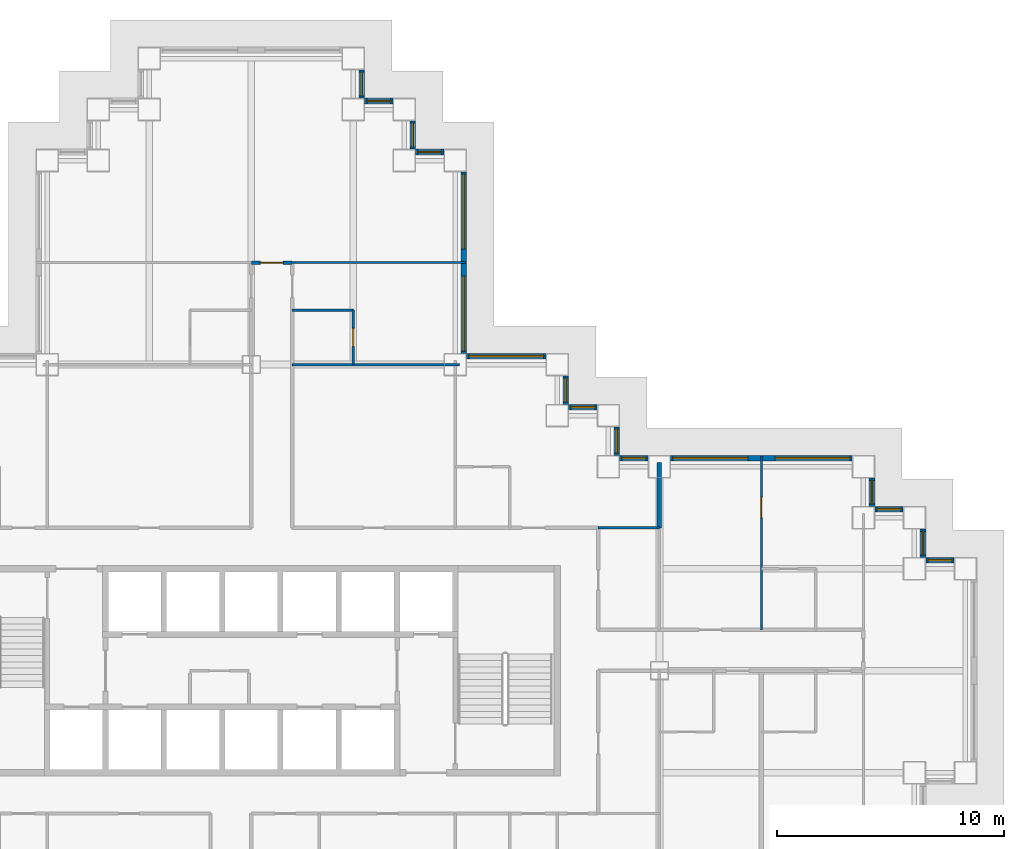
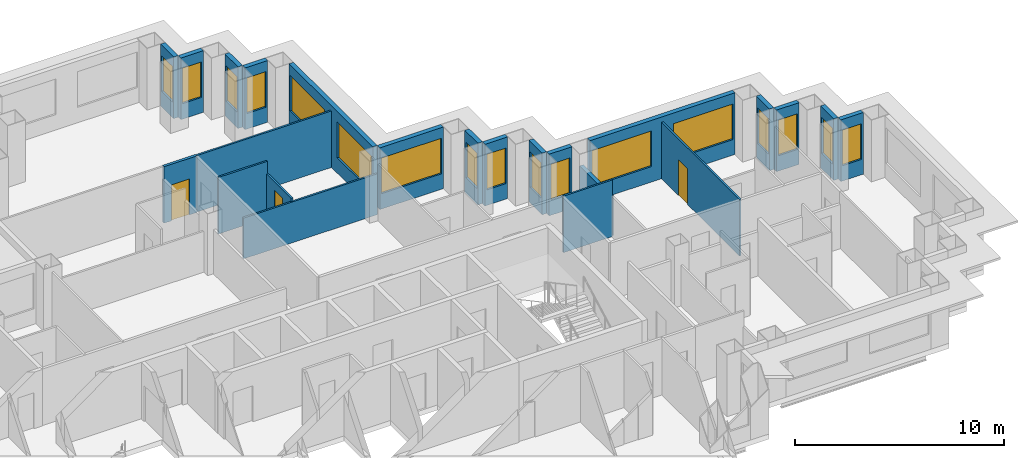
# One storey, part 9 of 14: 23 walls, 17 windows, 3 doors, 20 openings.
"""IFC4 building model written with IfcOpenShell, lengths in metres."""

from ifc_helpers import new_model, si_unit, direction, frame, frame_2d, origin, place, context, subcontext, project, spatial, rectangle, extrude, material, layer, layer_set, type_object, element, fill, save


model = new_model("IFC4")

# Units and contexts
model_context = context("Model", 3, precision=1e-05, world=origin(), true_north=direction((0.0, 1.0)))
body_context = subcontext(model_context, "Body", "Model", "MODEL_VIEW")
ifc_project = project(units=[si_unit("LENGTHUNIT", "METRE"), si_unit("AREAUNIT", "SQUARE_METRE"), si_unit("VOLUMEUNIT", "CUBIC_METRE"), si_unit("PLANEANGLEUNIT", "RADIAN"), si_unit("MASSUNIT", "GRAM", prefix="KILO")], contexts=[model_context])

# Site, building, storey
site_placement = place(None, origin())
site = spatial("IfcSite", under=ifc_project, at=site_placement, CompositionType="ELEMENT")
building_placement = place(site_placement, origin())
building = spatial("IfcBuilding", under=site, at=building_placement, Name="Caravel Reach Hotel and Residences", CompositionType="ELEMENT")
storey_placement = place(building_placement, frame((0.0, 0.0, 56.39990234375)))
storey = spatial("IfcBuildingStorey", under=building, at=storey_placement, Name="L12", CompositionType="ELEMENT", Elevation=56.39990234375)

# Wall
ifc_material_1 = material(Name="Gypsum board on steel stud", Category="steel")
ifc_layer_1 = layer(ifc_material_1, 0.10009765625)
ifc_layer_set_1 = layer_set([ifc_layer_1], Name="Bathroom pod wall 100 mm")
wall_type_1 = type_object("IfcWallType", Name="Bathroom pod wall 100 mm", PredefinedType="PARTITIONING", material=ifc_layer_set_1)
wall_1_placement = place(storey_placement, frame((33.300048828125, 42.89990234375, 0.0), z_axis=(0.0, 0.0, 1.0), x_axis=(1.0, 0.0, 0.0)))
element("IfcWall", 1, at=wall_1_placement, inside=storey, type_object=wall_type_1, Name="L12 wall w084", PredefinedType="PARTITIONING", context=body_context, shape_type="SweptSolid", body=[
    extrude(rectangle(XDim=2.699951171875, YDim=0.10009765625, at=frame_2d((1.35009765625, 0.0))), origin(), (0.0, 0.0, 1.0), 3.300048828125),
])

# Wall, opening, door
wall_2_placement = place(storey_placement, frame((36.0, 40.5, 0.0), z_axis=(0.0, 0.0, 1.0), x_axis=(0.0, 1.0, 0.0)))
wall_2 = element("IfcWall", 2, at=wall_2_placement, inside=storey, type_object=wall_type_1, Name="L12 wall w096", PredefinedType="PARTITIONING", context=body_context, shape_type="SweptSolid", body=[
    extrude(rectangle(XDim=2.39990234375, YDim=0.10009765625, at=frame_2d((1.199951171875, 0.0))), origin(), (0.0, 0.0, 1.0), 2.580078125),
])
opening_1_placement = place(wall_2_placement, frame((0.800048828125, 0.0, 0.0)))
opening_1 = element("IfcOpeningElement", 3, at=opening_1_placement, cuts=wall_2, Name="Opening D12-029", PredefinedType="OPENING", context=body_context, shape_type="SweptSolid", body=[
    extrude(rectangle(XDim=0.800048828125, YDim=2.10009765625, at=frame_2d((0.39990234375, 1.050048828125))), frame((0.0, 0.06005859375, 0.0), z_axis=(0.0, -1.0, 0.0), x_axis=(1.0, 0.0, 0.0)), (0.0, 0.0, 1.0), 0.1201171875),
])
ifc_material_2 = material(Name="Timber and steel door leaf", Category="steel")
door_type_1 = type_object("IfcDoorType", Name="Bathroom door 800 x 2100", OperationType="SINGLE_SWING_LEFT", PredefinedType="DOOR", material=ifc_material_2)
door_1_placement = place(opening_1_placement, origin())
door_1 = element("IfcDoor", 4, at=door_1_placement, inside=storey, type_object=door_type_1, Name="door D12-029", OperationType="SINGLE_SWING_RIGHT", OverallHeight=2.10009765625, OverallWidth=0.800048828125, PredefinedType="DOOR", context=body_context, shape_type="SweptSolid", body=[
    extrude(rectangle(XDim=0.800048828125, YDim=2.10009765625, at=frame_2d((0.39990234375, 1.050048828125))), frame((0.0, 0.02490234375, 0.0), z_axis=(0.0, -1.0, 0.0), x_axis=(1.0, 0.0, 0.0)), (0.0, 0.0, 1.0), 0.050048828125),
])
fill(opening_1, door_1)

ifc_material_3 = material(Name="Gypsum board on steel stud, fire-rated", Category="steel")
ifc_layer_2 = layer(ifc_material_3, 0.14990234375)
ifc_layer_set_2 = layer_set([ifc_layer_2], Name="Corridor wall 150 mm EI 60")
wall_type_2 = type_object("IfcWallType", Name="Corridor wall 150 mm EI 60", PredefinedType="PARTITIONING", material=ifc_layer_set_2)
wall_3_placement = place(storey_placement, frame((31.5, 45.0, 0.0), z_axis=(0.0, 0.0, 1.0), x_axis=(1.0, 0.0, 0.0)))
wall_3 = element("IfcWall", 5, at=wall_3_placement, inside=storey, type_object=wall_type_2, Name="L12 wall w023", PredefinedType="PARTITIONING", context=body_context, shape_type="SweptSolid", body=[
    extrude(rectangle(XDim=1.800048828125, YDim=0.14990234375, at=frame_2d((0.89990234375, 0.0))), origin(), (0.0, 0.0, 1.0), 3.300048828125),
])
opening_2_placement = place(wall_3_placement, frame((0.39990234375, 0.0, 0.0)))
opening_2 = element("IfcOpeningElement", 6, at=opening_2_placement, cuts=wall_3, Name="Opening D12-039", PredefinedType="OPENING", context=body_context, shape_type="SweptSolid", body=[
    extrude(rectangle(XDim=1.0, YDim=2.10009765625, at=frame_2d((0.5, 1.050048828125))), frame((0.0, 0.0849609375, 0.0), z_axis=(0.0, -1.0, 0.0), x_axis=(1.0, 0.0, 0.0)), (0.0, 0.0, 1.0), 0.169921875),
])
ifc_material_4 = material(Name="Steel fire door leaf", Category="steel")
door_type_2 = type_object("IfcDoorType", Name="Guest room door 1000 x 2100 EI 30", OperationType="SINGLE_SWING_LEFT", PredefinedType="DOOR", material=ifc_material_4)
door_2_placement = place(opening_2_placement, origin())
door_2 = element("IfcDoor", 7, at=door_2_placement, inside=storey, type_object=door_type_2, Name="door D12-039", OperationType="SINGLE_SWING_LEFT", OverallHeight=2.10009765625, OverallWidth=1.0, PredefinedType="DOOR", context=body_context, shape_type="SweptSolid", body=[
    extrude(rectangle(XDim=1.0, YDim=2.10009765625, at=frame_2d((0.5, 1.050048828125))), frame((0.0, 0.02490234375, 0.0), z_axis=(0.0, -1.0, 0.0), x_axis=(1.0, 0.0, 0.0)), (0.0, 0.0, 1.0), 0.050048828125),
])
fill(opening_2, door_2)

# Wall, opening, window
ifc_material_5 = material(Name="Insulated rainscreen wall, aluminium cladding", Category="aluminium")
ifc_layer_3 = layer(ifc_material_5, 0.25)
ifc_layer_set_3 = layer_set([ifc_layer_3], Name="EW1 Tower rainscreen wall")
wall_type_3 = type_object("IfcWallType", Name="EW1 Tower rainscreen wall", PredefinedType="SOLIDWALL", material=ifc_layer_set_3)
wall_4_placement = place(storey_placement, frame((62.5, 31.875, 0.0), z_axis=(0.0, 0.0, 1.0), x_axis=(-1.0, 0.0, 0.0)))
wall_4 = element("IfcWall", 8, at=wall_4_placement, inside=storey, type_object=wall_type_3, Name="External wall L12 N21.1", PredefinedType="SOLIDWALL", context=body_context, shape_type="SweptSolid", body=[
    extrude(rectangle(XDim=1.25, YDim=0.25, at=frame_2d((0.625, 0.0))), origin(), (0.0, 0.0, 1.0), 3.60009765625),
])
opening_3_placement = place(wall_4_placement, frame((0.10009765625, 0.0, 0.89990234375)))
opening_3 = element("IfcOpeningElement", 9, at=opening_3_placement, cuts=wall_4, Name="Opening WN3", PredefinedType="OPENING", context=body_context, shape_type="SweptSolid", body=[
    extrude(rectangle(XDim=1.050048828125, YDim=2.080078125, at=frame_2d((0.52490234375, 1.0400390625))), frame((0.0, 0.135009765625, 0.0), z_axis=(0.0, -1.0, 0.0), x_axis=(1.0, 0.0, 0.0)), (0.0, 0.0, 1.0), 0.27001953125),
])
ifc_material_6 = material(Name="Dark low-e glazing in black aluminium frame", Category="aluminium")
window_type_1 = type_object("IfcWindowType", Name="Hotel suite corner window 1050 x 2080", PartitioningType="SINGLE_PANEL", PredefinedType="WINDOW", material=ifc_material_6)
window_1_placement = place(opening_3_placement, origin())
window_1 = element("IfcWindow", 10, at=window_1_placement, inside=storey, type_object=window_type_1, Name="Window L12 N21.1.1", OverallHeight=2.080078125, OverallWidth=1.050048828125, PartitioningType="SINGLE_PANEL", PredefinedType="WINDOW", context=body_context, shape_type="SweptSolid", body=[
    extrude(rectangle(XDim=1.050048828125, YDim=2.080078125, at=frame_2d((0.52490234375, 1.0400390625))), frame((0.0, 0.030029296875, 0.0), z_axis=(0.0, -1.0, 0.0), x_axis=(1.0, 0.0, 0.0)), (0.0, 0.0, 1.0), 0.06005859375),
])
fill(opening_3, window_1)

wall_5_placement = place(storey_placement, frame((61.125, 32.0, 0.0), z_axis=(0.0, 0.0, 1.0), x_axis=(0.0, 1.0, 0.0)))
wall_5 = element("IfcWall", 11, at=wall_5_placement, inside=storey, type_object=wall_type_3, Name="External wall L12 E22.1", PredefinedType="SOLIDWALL", context=body_context, shape_type="SweptSolid", body=[
    extrude(rectangle(XDim=1.25, YDim=0.25, at=frame_2d((0.625, 0.0))), origin(), (0.0, 0.0, 1.0), 3.60009765625),
])
opening_4_placement = place(wall_5_placement, frame((0.10009765625, 0.0, 0.89990234375)))
opening_4 = element("IfcOpeningElement", 12, at=opening_4_placement, cuts=wall_5, Name="Opening WN3", PredefinedType="OPENING", context=body_context, shape_type="SweptSolid", body=[
    extrude(rectangle(XDim=1.050048828125, YDim=2.080078125, at=frame_2d((0.52490234375, 1.0400390625))), frame((0.0, 0.135009765625, 0.0), z_axis=(0.0, -1.0, 0.0), x_axis=(1.0, 0.0, 0.0)), (0.0, 0.0, 1.0), 0.27001953125),
])
window_2_placement = place(opening_4_placement, origin())
window_2 = element("IfcWindow", 13, at=window_2_placement, inside=storey, type_object=window_type_1, Name="Window L12 E22.1.1", OverallHeight=2.080078125, OverallWidth=1.050048828125, PartitioningType="SINGLE_PANEL", PredefinedType="WINDOW", context=body_context, shape_type="SweptSolid", body=[
    extrude(rectangle(XDim=1.050048828125, YDim=2.080078125, at=frame_2d((0.52490234375, 1.0400390625))), frame((0.0, 0.030029296875, 0.0), z_axis=(0.0, -1.0, 0.0), x_axis=(1.0, 0.0, 0.0)), (0.0, 0.0, 1.0), 0.06005859375),
])
fill(opening_4, window_2)

wall_6_placement = place(storey_placement, frame((60.25, 34.125, 0.0), z_axis=(0.0, 0.0, 1.0), x_axis=(-1.0, 0.0, 0.0)))
wall_6 = element("IfcWall", 14, at=wall_6_placement, inside=storey, type_object=wall_type_3, Name="External wall L12 N23.1", PredefinedType="SOLIDWALL", context=body_context, shape_type="SweptSolid", body=[
    extrude(rectangle(XDim=1.25, YDim=0.25, at=frame_2d((0.625, 0.0))), origin(), (0.0, 0.0, 1.0), 3.60009765625),
])
opening_5_placement = place(wall_6_placement, frame((0.10009765625, 0.0, 0.89990234375)))
opening_5 = element("IfcOpeningElement", 15, at=opening_5_placement, cuts=wall_6, Name="Opening WN3", PredefinedType="OPENING", context=body_context, shape_type="SweptSolid", body=[
    extrude(rectangle(XDim=1.050048828125, YDim=2.080078125, at=frame_2d((0.52490234375, 1.0400390625))), frame((0.0, 0.135009765625, 0.0), z_axis=(0.0, -1.0, 0.0), x_axis=(1.0, 0.0, 0.0)), (0.0, 0.0, 1.0), 0.27001953125),
])
window_3_placement = place(opening_5_placement, origin())
window_3 = element("IfcWindow", 16, at=window_3_placement, inside=storey, type_object=window_type_1, Name="Window L12 N23.1.1", OverallHeight=2.080078125, OverallWidth=1.050048828125, PartitioningType="SINGLE_PANEL", PredefinedType="WINDOW", context=body_context, shape_type="SweptSolid", body=[
    extrude(rectangle(XDim=1.050048828125, YDim=2.080078125, at=frame_2d((0.52490234375, 1.0400390625))), frame((0.0, 0.030029296875, 0.0), z_axis=(0.0, -1.0, 0.0), x_axis=(1.0, 0.0, 0.0)), (0.0, 0.0, 1.0), 0.06005859375),
])
fill(opening_5, window_3)

wall_7_placement = place(storey_placement, frame((58.875, 34.25, 0.0), z_axis=(0.0, 0.0, 1.0), x_axis=(0.0, 1.0, 0.0)))
wall_7 = element("IfcWall", 17, at=wall_7_placement, inside=storey, type_object=wall_type_3, Name="External wall L12 E24.1", PredefinedType="SOLIDWALL", context=body_context, shape_type="SweptSolid", body=[
    extrude(rectangle(XDim=1.25, YDim=0.25, at=frame_2d((0.625, 0.0))), origin(), (0.0, 0.0, 1.0), 3.60009765625),
])
opening_6_placement = place(wall_7_placement, frame((0.10009765625, 0.0, 0.89990234375)))
opening_6 = element("IfcOpeningElement", 18, at=opening_6_placement, cuts=wall_7, Name="Opening WN3", PredefinedType="OPENING", context=body_context, shape_type="SweptSolid", body=[
    extrude(rectangle(XDim=1.050048828125, YDim=2.080078125, at=frame_2d((0.52490234375, 1.0400390625))), frame((0.0, 0.135009765625, 0.0), z_axis=(0.0, -1.0, 0.0), x_axis=(1.0, 0.0, 0.0)), (0.0, 0.0, 1.0), 0.27001953125),
])
window_4_placement = place(opening_6_placement, origin())
window_4 = element("IfcWindow", 19, at=window_4_placement, inside=storey, type_object=window_type_1, Name="Window L12 E24.1.1", OverallHeight=2.080078125, OverallWidth=1.050048828125, PartitioningType="SINGLE_PANEL", PredefinedType="WINDOW", context=body_context, shape_type="SweptSolid", body=[
    extrude(rectangle(XDim=1.050048828125, YDim=2.080078125, at=frame_2d((0.52490234375, 1.0400390625))), frame((0.0, 0.030029296875, 0.0), z_axis=(0.0, -1.0, 0.0), x_axis=(1.0, 0.0, 0.0)), (0.0, 0.0, 1.0), 0.06005859375),
])
fill(opening_6, window_4)

# Wall, openings, windows
wall_8_placement = place(storey_placement, frame((58.0, 36.375, 0.0), z_axis=(0.0, 0.0, 1.0), x_axis=(-1.0, 0.0, 0.0)))
wall_8 = element("IfcWall", 20, at=wall_8_placement, inside=storey, type_object=wall_type_3, Name="External wall L12 N25.1", PredefinedType="SOLIDWALL", context=body_context, shape_type="SweptSolid", body=[
    extrude(rectangle(XDim=8.0, YDim=0.25, at=frame_2d((4.0, 0.0))), origin(), (0.0, 0.0, 1.0), 3.60009765625),
])
opening_7_placement = place(wall_8_placement, frame((0.10009765625, 0.0, 0.89990234375)))
opening_7 = element("IfcOpeningElement", 21, at=opening_7_placement, cuts=wall_8, Name="Opening WN4", PredefinedType="OPENING", context=body_context, shape_type="SweptSolid", body=[
    extrude(rectangle(XDim=3.300048828125, YDim=2.080078125, at=frame_2d((1.64990234375, 1.0400390625))), frame((0.0, 0.135009765625, 0.0), z_axis=(0.0, -1.0, 0.0), x_axis=(1.0, 0.0, 0.0)), (0.0, 0.0, 1.0), 0.27001953125),
])
opening_8_placement = place(wall_8_placement, frame((4.60009765625, 0.0, 0.89990234375)))
opening_8 = element("IfcOpeningElement", 22, at=opening_8_placement, cuts=wall_8, Name="Opening WN4", PredefinedType="OPENING", context=body_context, shape_type="SweptSolid", body=[
    extrude(rectangle(XDim=3.300048828125, YDim=2.080078125, at=frame_2d((1.64990234375, 1.0400390625))), frame((0.0, 0.135009765625, 0.0), z_axis=(0.0, -1.0, 0.0), x_axis=(1.0, 0.0, 0.0)), (0.0, 0.0, 1.0), 0.27001953125),
])
ifc_material_7 = material(Name="Dark low-e glazing in black aluminium frame", Category="aluminium")
window_type_2 = type_object("IfcWindowType", Name="Hotel guest room window 3300 x 2080", PartitioningType="SINGLE_PANEL", PredefinedType="WINDOW", material=ifc_material_7)
window_5_placement = place(opening_7_placement, origin())
window_5 = element("IfcWindow", 23, at=window_5_placement, inside=storey, type_object=window_type_2, Name="Window L12 N25.1.1", OverallHeight=2.080078125, OverallWidth=3.300048828125, PartitioningType="SINGLE_PANEL", PredefinedType="WINDOW", context=body_context, shape_type="SweptSolid", body=[
    extrude(rectangle(XDim=3.300048828125, YDim=2.080078125, at=frame_2d((1.64990234375, 1.0400390625))), frame((0.0, 0.030029296875, 0.0), z_axis=(0.0, -1.0, 0.0), x_axis=(1.0, 0.0, 0.0)), (0.0, 0.0, 1.0), 0.06005859375),
])
fill(opening_7, window_5)
window_6_placement = place(opening_8_placement, origin())
window_6 = element("IfcWindow", 24, at=window_6_placement, inside=storey, type_object=window_type_2, Name="Window L12 N25.1.2", OverallHeight=2.080078125, OverallWidth=3.300048828125, PartitioningType="SINGLE_PANEL", PredefinedType="WINDOW", context=body_context, shape_type="SweptSolid", body=[
    extrude(rectangle(XDim=3.300048828125, YDim=2.080078125, at=frame_2d((1.64990234375, 1.0400390625))), frame((0.0, 0.030029296875, 0.0), z_axis=(0.0, -1.0, 0.0), x_axis=(1.0, 0.0, 0.0)), (0.0, 0.0, 1.0), 0.06005859375),
])
fill(opening_8, window_6)

# Wall, opening, window
wall_9_placement = place(storey_placement, frame((49.0, 36.375, 0.0), z_axis=(0.0, 0.0, 1.0), x_axis=(-1.0, 0.0, 0.0)))
wall_9 = element("IfcWall", 25, at=wall_9_placement, inside=storey, type_object=wall_type_3, Name="External wall L12 N25.2", PredefinedType="SOLIDWALL", context=body_context, shape_type="SweptSolid", body=[
    extrude(rectangle(XDim=1.25, YDim=0.25, at=frame_2d((0.625, 0.0))), origin(), (0.0, 0.0, 1.0), 3.60009765625),
])
opening_9_placement = place(wall_9_placement, frame((0.10009765625, 0.0, 0.89990234375)))
opening_9 = element("IfcOpeningElement", 26, at=opening_9_placement, cuts=wall_9, Name="Opening WN3", PredefinedType="OPENING", context=body_context, shape_type="SweptSolid", body=[
    extrude(rectangle(XDim=1.050048828125, YDim=2.080078125, at=frame_2d((0.52490234375, 1.0400390625))), frame((0.0, 0.135009765625, 0.0), z_axis=(0.0, -1.0, 0.0), x_axis=(1.0, 0.0, 0.0)), (0.0, 0.0, 1.0), 0.27001953125),
])
window_7_placement = place(opening_9_placement, origin())
window_7 = element("IfcWindow", 27, at=window_7_placement, inside=storey, type_object=window_type_1, Name="Window L12 N25.2.1", OverallHeight=2.080078125, OverallWidth=1.050048828125, PartitioningType="SINGLE_PANEL", PredefinedType="WINDOW", context=body_context, shape_type="SweptSolid", body=[
    extrude(rectangle(XDim=1.050048828125, YDim=2.080078125, at=frame_2d((0.52490234375, 1.0400390625))), frame((0.0, 0.030029296875, 0.0), z_axis=(0.0, -1.0, 0.0), x_axis=(1.0, 0.0, 0.0)), (0.0, 0.0, 1.0), 0.06005859375),
])
fill(opening_9, window_7)

wall_10_placement = place(storey_placement, frame((47.625, 36.5, 0.0), z_axis=(0.0, 0.0, 1.0), x_axis=(0.0, 1.0, 0.0)))
wall_10 = element("IfcWall", 28, at=wall_10_placement, inside=storey, type_object=wall_type_3, Name="External wall L12 E26.1", PredefinedType="SOLIDWALL", context=body_context, shape_type="SweptSolid", body=[
    extrude(rectangle(XDim=1.25, YDim=0.25, at=frame_2d((0.625, 0.0))), origin(), (0.0, 0.0, 1.0), 3.60009765625),
])
opening_10_placement = place(wall_10_placement, frame((0.10009765625, 0.0, 0.89990234375)))
opening_10 = element("IfcOpeningElement", 29, at=opening_10_placement, cuts=wall_10, Name="Opening WN3", PredefinedType="OPENING", context=body_context, shape_type="SweptSolid", body=[
    extrude(rectangle(XDim=1.050048828125, YDim=2.080078125, at=frame_2d((0.52490234375, 1.0400390625))), frame((0.0, 0.135009765625, 0.0), z_axis=(0.0, -1.0, 0.0), x_axis=(1.0, 0.0, 0.0)), (0.0, 0.0, 1.0), 0.27001953125),
])
window_8_placement = place(opening_10_placement, origin())
window_8 = element("IfcWindow", 30, at=window_8_placement, inside=storey, type_object=window_type_1, Name="Window L12 E26.1.1", OverallHeight=2.080078125, OverallWidth=1.050048828125, PartitioningType="SINGLE_PANEL", PredefinedType="WINDOW", context=body_context, shape_type="SweptSolid", body=[
    extrude(rectangle(XDim=1.050048828125, YDim=2.080078125, at=frame_2d((0.52490234375, 1.0400390625))), frame((0.0, 0.030029296875, 0.0), z_axis=(0.0, -1.0, 0.0), x_axis=(1.0, 0.0, 0.0)), (0.0, 0.0, 1.0), 0.06005859375),
])
fill(opening_10, window_8)

wall_11_placement = place(storey_placement, frame((46.75, 38.625, 0.0), z_axis=(0.0, 0.0, 1.0), x_axis=(-1.0, 0.0, 0.0)))
wall_11 = element("IfcWall", 31, at=wall_11_placement, inside=storey, type_object=wall_type_3, Name="External wall L12 N27.1", PredefinedType="SOLIDWALL", context=body_context, shape_type="SweptSolid", body=[
    extrude(rectangle(XDim=1.25, YDim=0.25, at=frame_2d((0.625, 0.0))), origin(), (0.0, 0.0, 1.0), 3.60009765625),
])
opening_11_placement = place(wall_11_placement, frame((0.10009765625, 0.0, 0.89990234375)))
opening_11 = element("IfcOpeningElement", 32, at=opening_11_placement, cuts=wall_11, Name="Opening WN3", PredefinedType="OPENING", context=body_context, shape_type="SweptSolid", body=[
    extrude(rectangle(XDim=1.050048828125, YDim=2.080078125, at=frame_2d((0.52490234375, 1.0400390625))), frame((0.0, 0.135009765625, 0.0), z_axis=(0.0, -1.0, 0.0), x_axis=(1.0, 0.0, 0.0)), (0.0, 0.0, 1.0), 0.27001953125),
])
window_9_placement = place(opening_11_placement, origin())
window_9 = element("IfcWindow", 33, at=window_9_placement, inside=storey, type_object=window_type_1, Name="Window L12 N27.1.1", OverallHeight=2.080078125, OverallWidth=1.050048828125, PartitioningType="SINGLE_PANEL", PredefinedType="WINDOW", context=body_context, shape_type="SweptSolid", body=[
    extrude(rectangle(XDim=1.050048828125, YDim=2.080078125, at=frame_2d((0.52490234375, 1.0400390625))), frame((0.0, 0.030029296875, 0.0), z_axis=(0.0, -1.0, 0.0), x_axis=(1.0, 0.0, 0.0)), (0.0, 0.0, 1.0), 0.06005859375),
])
fill(opening_11, window_9)

wall_12_placement = place(storey_placement, frame((45.375, 38.75, 0.0), z_axis=(0.0, 0.0, 1.0), x_axis=(0.0, 1.0, 0.0)))
wall_12 = element("IfcWall", 34, at=wall_12_placement, inside=storey, type_object=wall_type_3, Name="External wall L12 E28.1", PredefinedType="SOLIDWALL", context=body_context, shape_type="SweptSolid", body=[
    extrude(rectangle(XDim=1.25, YDim=0.25, at=frame_2d((0.625, 0.0))), origin(), (0.0, 0.0, 1.0), 3.60009765625),
])
opening_12_placement = place(wall_12_placement, frame((0.10009765625, 0.0, 0.89990234375)))
opening_12 = element("IfcOpeningElement", 35, at=opening_12_placement, cuts=wall_12, Name="Opening WN3", PredefinedType="OPENING", context=body_context, shape_type="SweptSolid", body=[
    extrude(rectangle(XDim=1.050048828125, YDim=2.080078125, at=frame_2d((0.52490234375, 1.0400390625))), frame((0.0, 0.135009765625, 0.0), z_axis=(0.0, -1.0, 0.0), x_axis=(1.0, 0.0, 0.0)), (0.0, 0.0, 1.0), 0.27001953125),
])
window_10_placement = place(opening_12_placement, origin())
window_10 = element("IfcWindow", 36, at=window_10_placement, inside=storey, type_object=window_type_1, Name="Window L12 E28.1.1", OverallHeight=2.080078125, OverallWidth=1.050048828125, PartitioningType="SINGLE_PANEL", PredefinedType="WINDOW", context=body_context, shape_type="SweptSolid", body=[
    extrude(rectangle(XDim=1.050048828125, YDim=2.080078125, at=frame_2d((0.52490234375, 1.0400390625))), frame((0.0, 0.030029296875, 0.0), z_axis=(0.0, -1.0, 0.0), x_axis=(1.0, 0.0, 0.0)), (0.0, 0.0, 1.0), 0.06005859375),
])
fill(opening_12, window_10)

wall_13_placement = place(storey_placement, frame((44.5, 40.875, 0.0), z_axis=(0.0, 0.0, 1.0), x_axis=(-1.0, 0.0, 0.0)))
wall_13 = element("IfcWall", 37, at=wall_13_placement, inside=storey, type_object=wall_type_3, Name="External wall L12 N29.1", PredefinedType="SOLIDWALL", context=body_context, shape_type="SweptSolid", body=[
    extrude(rectangle(XDim=3.5, YDim=0.25, at=frame_2d((1.75, 0.0))), origin(), (0.0, 0.0, 1.0), 3.60009765625),
])
opening_13_placement = place(wall_13_placement, frame((0.10009765625, 0.0, 0.89990234375)))
opening_13 = element("IfcOpeningElement", 38, at=opening_13_placement, cuts=wall_13, Name="Opening WN4", PredefinedType="OPENING", context=body_context, shape_type="SweptSolid", body=[
    extrude(rectangle(XDim=3.300048828125, YDim=2.080078125, at=frame_2d((1.64990234375, 1.0400390625))), frame((0.0, 0.135009765625, 0.0), z_axis=(0.0, -1.0, 0.0), x_axis=(1.0, 0.0, 0.0)), (0.0, 0.0, 1.0), 0.27001953125),
])
window_11_placement = place(opening_13_placement, origin())
window_11 = element("IfcWindow", 39, at=window_11_placement, inside=storey, type_object=window_type_2, Name="Window L12 N29.1.1", OverallHeight=2.080078125, OverallWidth=3.300048828125, PartitioningType="SINGLE_PANEL", PredefinedType="WINDOW", context=body_context, shape_type="SweptSolid", body=[
    extrude(rectangle(XDim=3.300048828125, YDim=2.080078125, at=frame_2d((1.64990234375, 1.0400390625))), frame((0.0, 0.030029296875, 0.0), z_axis=(0.0, -1.0, 0.0), x_axis=(1.0, 0.0, 0.0)), (0.0, 0.0, 1.0), 0.06005859375),
])
fill(opening_13, window_11)

# Wall, openings, windows
wall_14_placement = place(storey_placement, frame((40.875, 41.0, 0.0), z_axis=(0.0, 0.0, 1.0), x_axis=(0.0, 1.0, 0.0)))
wall_14 = element("IfcWall", 40, at=wall_14_placement, inside=storey, type_object=wall_type_3, Name="External wall L12 E30.1", PredefinedType="SOLIDWALL", context=body_context, shape_type="SweptSolid", body=[
    extrude(rectangle(XDim=8.0, YDim=0.25, at=frame_2d((4.0, 0.0))), origin(), (0.0, 0.0, 1.0), 3.60009765625),
])
opening_14_placement = place(wall_14_placement, frame((0.10009765625, 0.0, 0.89990234375)))
opening_14 = element("IfcOpeningElement", 41, at=opening_14_placement, cuts=wall_14, Name="Opening WN4", PredefinedType="OPENING", context=body_context, shape_type="SweptSolid", body=[
    extrude(rectangle(XDim=3.300048828125, YDim=2.080078125, at=frame_2d((1.64990234375, 1.0400390625))), frame((0.0, 0.135009765625, 0.0), z_axis=(0.0, -1.0, 0.0), x_axis=(1.0, 0.0, 0.0)), (0.0, 0.0, 1.0), 0.27001953125),
])
opening_15_placement = place(wall_14_placement, frame((4.60009765625, 0.0, 0.89990234375)))
opening_15 = element("IfcOpeningElement", 42, at=opening_15_placement, cuts=wall_14, Name="Opening WN4", PredefinedType="OPENING", context=body_context, shape_type="SweptSolid", body=[
    extrude(rectangle(XDim=3.300048828125, YDim=2.080078125, at=frame_2d((1.64990234375, 1.0400390625))), frame((0.0, 0.135009765625, 0.0), z_axis=(0.0, -1.0, 0.0), x_axis=(1.0, 0.0, 0.0)), (0.0, 0.0, 1.0), 0.27001953125),
])
window_12_placement = place(opening_14_placement, origin())
window_12 = element("IfcWindow", 43, at=window_12_placement, inside=storey, type_object=window_type_2, Name="Window L12 E30.1.1", OverallHeight=2.080078125, OverallWidth=3.300048828125, PartitioningType="SINGLE_PANEL", PredefinedType="WINDOW", context=body_context, shape_type="SweptSolid", body=[
    extrude(rectangle(XDim=3.300048828125, YDim=2.080078125, at=frame_2d((1.64990234375, 1.0400390625))), frame((0.0, 0.030029296875, 0.0), z_axis=(0.0, -1.0, 0.0), x_axis=(1.0, 0.0, 0.0)), (0.0, 0.0, 1.0), 0.06005859375),
])
fill(opening_14, window_12)
window_13_placement = place(opening_15_placement, origin())
window_13 = element("IfcWindow", 44, at=window_13_placement, inside=storey, type_object=window_type_2, Name="Window L12 E30.1.2", OverallHeight=2.080078125, OverallWidth=3.300048828125, PartitioningType="SINGLE_PANEL", PredefinedType="WINDOW", context=body_context, shape_type="SweptSolid", body=[
    extrude(rectangle(XDim=3.300048828125, YDim=2.080078125, at=frame_2d((1.64990234375, 1.0400390625))), frame((0.0, 0.030029296875, 0.0), z_axis=(0.0, -1.0, 0.0), x_axis=(1.0, 0.0, 0.0)), (0.0, 0.0, 1.0), 0.06005859375),
])
fill(opening_15, window_13)

# Wall, opening, window
wall_15_placement = place(storey_placement, frame((40.0, 49.875, 0.0), z_axis=(0.0, 0.0, 1.0), x_axis=(-1.0, 0.0, 0.0)))
wall_15 = element("IfcWall", 45, at=wall_15_placement, inside=storey, type_object=wall_type_3, Name="External wall L12 N31.1", PredefinedType="SOLIDWALL", context=body_context, shape_type="SweptSolid", body=[
    extrude(rectangle(XDim=1.25, YDim=0.25, at=frame_2d((0.625, 0.0))), origin(), (0.0, 0.0, 1.0), 3.60009765625),
])
opening_16_placement = place(wall_15_placement, frame((0.10009765625, 0.0, 0.89990234375)))
opening_16 = element("IfcOpeningElement", 46, at=opening_16_placement, cuts=wall_15, Name="Opening WN3", PredefinedType="OPENING", context=body_context, shape_type="SweptSolid", body=[
    extrude(rectangle(XDim=1.050048828125, YDim=2.080078125, at=frame_2d((0.52490234375, 1.0400390625))), frame((0.0, 0.135009765625, 0.0), z_axis=(0.0, -1.0, 0.0), x_axis=(1.0, 0.0, 0.0)), (0.0, 0.0, 1.0), 0.27001953125),
])
window_14_placement = place(opening_16_placement, origin())
window_14 = element("IfcWindow", 47, at=window_14_placement, inside=storey, type_object=window_type_1, Name="Window L12 N31.1.1", OverallHeight=2.080078125, OverallWidth=1.050048828125, PartitioningType="SINGLE_PANEL", PredefinedType="WINDOW", context=body_context, shape_type="SweptSolid", body=[
    extrude(rectangle(XDim=1.050048828125, YDim=2.080078125, at=frame_2d((0.52490234375, 1.0400390625))), frame((0.0, 0.030029296875, 0.0), z_axis=(0.0, -1.0, 0.0), x_axis=(1.0, 0.0, 0.0)), (0.0, 0.0, 1.0), 0.06005859375),
])
fill(opening_16, window_14)

wall_16_placement = place(storey_placement, frame((38.625, 50.0, 0.0), z_axis=(0.0, 0.0, 1.0), x_axis=(0.0, 1.0, 0.0)))
wall_16 = element("IfcWall", 48, at=wall_16_placement, inside=storey, type_object=wall_type_3, Name="External wall L12 E32.1", PredefinedType="SOLIDWALL", context=body_context, shape_type="SweptSolid", body=[
    extrude(rectangle(XDim=1.25, YDim=0.25, at=frame_2d((0.625, 0.0))), origin(), (0.0, 0.0, 1.0), 3.60009765625),
])
opening_17_placement = place(wall_16_placement, frame((0.10009765625, 0.0, 0.89990234375)))
opening_17 = element("IfcOpeningElement", 49, at=opening_17_placement, cuts=wall_16, Name="Opening WN3", PredefinedType="OPENING", context=body_context, shape_type="SweptSolid", body=[
    extrude(rectangle(XDim=1.050048828125, YDim=2.080078125, at=frame_2d((0.52490234375, 1.0400390625))), frame((0.0, 0.135009765625, 0.0), z_axis=(0.0, -1.0, 0.0), x_axis=(1.0, 0.0, 0.0)), (0.0, 0.0, 1.0), 0.27001953125),
])
window_15_placement = place(opening_17_placement, origin())
window_15 = element("IfcWindow", 50, at=window_15_placement, inside=storey, type_object=window_type_1, Name="Window L12 E32.1.1", OverallHeight=2.080078125, OverallWidth=1.050048828125, PartitioningType="SINGLE_PANEL", PredefinedType="WINDOW", context=body_context, shape_type="SweptSolid", body=[
    extrude(rectangle(XDim=1.050048828125, YDim=2.080078125, at=frame_2d((0.52490234375, 1.0400390625))), frame((0.0, 0.030029296875, 0.0), z_axis=(0.0, -1.0, 0.0), x_axis=(1.0, 0.0, 0.0)), (0.0, 0.0, 1.0), 0.06005859375),
])
fill(opening_17, window_15)

wall_17_placement = place(storey_placement, frame((37.75, 52.125, 0.0), z_axis=(0.0, 0.0, 1.0), x_axis=(-1.0, 0.0, 0.0)))
wall_17 = element("IfcWall", 51, at=wall_17_placement, inside=storey, type_object=wall_type_3, Name="External wall L12 N33.1", PredefinedType="SOLIDWALL", context=body_context, shape_type="SweptSolid", body=[
    extrude(rectangle(XDim=1.25, YDim=0.25, at=frame_2d((0.625, 0.0))), origin(), (0.0, 0.0, 1.0), 3.60009765625),
])
opening_18_placement = place(wall_17_placement, frame((0.10009765625, 0.0, 0.89990234375)))
opening_18 = element("IfcOpeningElement", 52, at=opening_18_placement, cuts=wall_17, Name="Opening WN3", PredefinedType="OPENING", context=body_context, shape_type="SweptSolid", body=[
    extrude(rectangle(XDim=1.050048828125, YDim=2.080078125, at=frame_2d((0.52490234375, 1.0400390625))), frame((0.0, 0.135009765625, 0.0), z_axis=(0.0, -1.0, 0.0), x_axis=(1.0, 0.0, 0.0)), (0.0, 0.0, 1.0), 0.27001953125),
])
window_16_placement = place(opening_18_placement, origin())
window_16 = element("IfcWindow", 53, at=window_16_placement, inside=storey, type_object=window_type_1, Name="Window L12 N33.1.1", OverallHeight=2.080078125, OverallWidth=1.050048828125, PartitioningType="SINGLE_PANEL", PredefinedType="WINDOW", context=body_context, shape_type="SweptSolid", body=[
    extrude(rectangle(XDim=1.050048828125, YDim=2.080078125, at=frame_2d((0.52490234375, 1.0400390625))), frame((0.0, 0.030029296875, 0.0), z_axis=(0.0, -1.0, 0.0), x_axis=(1.0, 0.0, 0.0)), (0.0, 0.0, 1.0), 0.06005859375),
])
fill(opening_18, window_16)

wall_18_placement = place(storey_placement, frame((36.375, 52.25, 0.0), z_axis=(0.0, 0.0, 1.0), x_axis=(0.0, 1.0, 0.0)))
wall_18 = element("IfcWall", 54, at=wall_18_placement, inside=storey, type_object=wall_type_3, Name="External wall L12 E34.1", PredefinedType="SOLIDWALL", context=body_context, shape_type="SweptSolid", body=[
    extrude(rectangle(XDim=1.25, YDim=0.25, at=frame_2d((0.625, 0.0))), origin(), (0.0, 0.0, 1.0), 3.60009765625),
])
opening_19_placement = place(wall_18_placement, frame((0.10009765625, 0.0, 0.89990234375)))
opening_19 = element("IfcOpeningElement", 55, at=opening_19_placement, cuts=wall_18, Name="Opening WN3", PredefinedType="OPENING", context=body_context, shape_type="SweptSolid", body=[
    extrude(rectangle(XDim=1.050048828125, YDim=2.080078125, at=frame_2d((0.52490234375, 1.0400390625))), frame((0.0, 0.135009765625, 0.0), z_axis=(0.0, -1.0, 0.0), x_axis=(1.0, 0.0, 0.0)), (0.0, 0.0, 1.0), 0.27001953125),
])
window_17_placement = place(opening_19_placement, origin())
window_17 = element("IfcWindow", 56, at=window_17_placement, inside=storey, type_object=window_type_1, Name="Window L12 E34.1.1", OverallHeight=2.080078125, OverallWidth=1.050048828125, PartitioningType="SINGLE_PANEL", PredefinedType="WINDOW", context=body_context, shape_type="SweptSolid", body=[
    extrude(rectangle(XDim=1.050048828125, YDim=2.080078125, at=frame_2d((0.52490234375, 1.0400390625))), frame((0.0, 0.030029296875, 0.0), z_axis=(0.0, -1.0, 0.0), x_axis=(1.0, 0.0, 0.0)), (0.0, 0.0, 1.0), 0.06005859375),
])
fill(opening_19, window_17)

# Walls
ifc_material_8 = material(Name="Gypsum board on steel stud", Category="steel")
ifc_layer_4 = layer(ifc_material_8, 0.10009765625)
ifc_layer_set_4 = layer_set([ifc_layer_4], Name="Partition 100 mm")
wall_type_4 = type_object("IfcWallType", Name="Partition 100 mm", PredefinedType="PARTITIONING", material=ifc_layer_set_4)
wall_19_placement = place(storey_placement, frame((46.800048828125, 33.300048828125, 0.0), z_axis=(0.0, 0.0, 1.0), x_axis=(1.0, 0.0, 0.0)))
element("IfcWall", 57, at=wall_19_placement, inside=storey, type_object=wall_type_4, Name="L12 wall w045", PredefinedType="PARTITIONING", context=body_context, shape_type="SweptSolid", body=[
    extrude(rectangle(XDim=2.699951171875, YDim=0.10009765625, at=frame_2d((1.35009765625, 0.0))), origin(), (0.0, 0.0, 1.0), 3.300048828125),
])
wall_20_placement = place(storey_placement, frame((33.300048828125, 40.5, 0.0), z_axis=(0.0, 0.0, 1.0), x_axis=(1.0, 0.0, 0.0)))
element("IfcWall", 58, at=wall_20_placement, inside=storey, type_object=wall_type_4, Name="L12 wall w048", PredefinedType="PARTITIONING", context=body_context, shape_type="SweptSolid", body=[
    extrude(rectangle(XDim=7.389892578125, YDim=0.10009765625, at=frame_2d((3.69482421875, 0.0))), origin(), (0.0, 0.0, 1.0), 2.380126953125),
])
wall_21_placement = place(storey_placement, frame((33.300048828125, 45.0, 0.0), z_axis=(0.0, 0.0, 1.0), x_axis=(1.0, 0.0, 0.0)))
element("IfcWall", 59, at=wall_21_placement, inside=storey, type_object=wall_type_4, Name="L12 wall w050", PredefinedType="PARTITIONING", context=body_context, shape_type="SweptSolid", body=[
    extrude(rectangle(XDim=7.639892578125, YDim=0.10009765625, at=frame_2d((3.81982421875, 0.0))), origin(), (0.0, 0.0, 1.0), 3.300048828125),
])

# Wall, opening, door
wall_22_placement = place(storey_placement, frame((54.0, 28.800048828125, 0.0), z_axis=(0.0, 0.0, 1.0), x_axis=(0.0, 1.0, 0.0)))
wall_22 = element("IfcWall", 60, at=wall_22_placement, inside=storey, type_object=wall_type_4, Name="L12 wall w066", PredefinedType="PARTITIONING", context=body_context, shape_type="SweptSolid", body=[
    extrude(rectangle(XDim=7.639892578125, YDim=0.10009765625, at=frame_2d((3.81982421875, 0.0))), origin(), (0.0, 0.0, 1.0), 3.300048828125),
])
opening_20_placement = place(wall_22_placement, frame((4.949951171875, 0.0, 0.0)))
opening_20 = element("IfcOpeningElement", 61, at=opening_20_placement, cuts=wall_22, Name="Opening D12-024", PredefinedType="OPENING", context=body_context, shape_type="SweptSolid", body=[
    extrude(rectangle(XDim=0.89990234375, YDim=2.10009765625, at=frame_2d((0.449951171875, 1.050048828125))), frame((0.0, 0.06005859375, 0.0), z_axis=(0.0, -1.0, 0.0), x_axis=(1.0, 0.0, 0.0)), (0.0, 0.0, 1.0), 0.1201171875),
])
ifc_material_9 = material(Name="Timber and steel door leaf", Category="steel")
door_type_3 = type_object("IfcDoorType", Name="Door 900 x 2100 timber", OperationType="SINGLE_SWING_LEFT", PredefinedType="DOOR", material=ifc_material_9)
door_3_placement = place(opening_20_placement, origin())
door_3 = element("IfcDoor", 62, at=door_3_placement, inside=storey, type_object=door_type_3, Name="door D12-024", OperationType="SINGLE_SWING_RIGHT", OverallHeight=2.10009765625, OverallWidth=0.89990234375, PredefinedType="DOOR", context=body_context, shape_type="SweptSolid", body=[
    extrude(rectangle(XDim=0.89990234375, YDim=2.10009765625, at=frame_2d((0.449951171875, 1.050048828125))), frame((0.0, 0.02490234375, 0.0), z_axis=(0.0, -1.0, 0.0), x_axis=(1.0, 0.0, 0.0)), (0.0, 0.0, 1.0), 0.050048828125),
])
fill(opening_20, door_3)

# Wall
ifc_material_10 = material(Name="Autoclaved aerated block wall")
ifc_layer_5 = layer(ifc_material_10, 0.199951171875)
ifc_layer_set_5 = layer_set([ifc_layer_5], Name="Party wall 200 mm EI 60")
wall_type_5 = type_object("IfcWallType", Name="Party wall 200 mm EI 60", PredefinedType="PARTITIONING", material=ifc_layer_set_5)
wall_23_placement = place(storey_placement, frame((49.5, 33.300048828125, 0.0), z_axis=(0.0, 0.0, 1.0), x_axis=(0.0, 1.0, 0.0)))
element("IfcWall", 63, at=wall_23_placement, inside=storey, type_object=wall_type_5, Name="L12 wall w072", PredefinedType="PARTITIONING", context=body_context, shape_type="SweptSolid", body=[
    extrude(rectangle(XDim=2.889892578125, YDim=0.199951171875, at=frame_2d((1.44482421875, 0.0))), origin(), (0.0, 0.0, 1.0), 2.380126953125),
])

save(model, "model.ifc")
